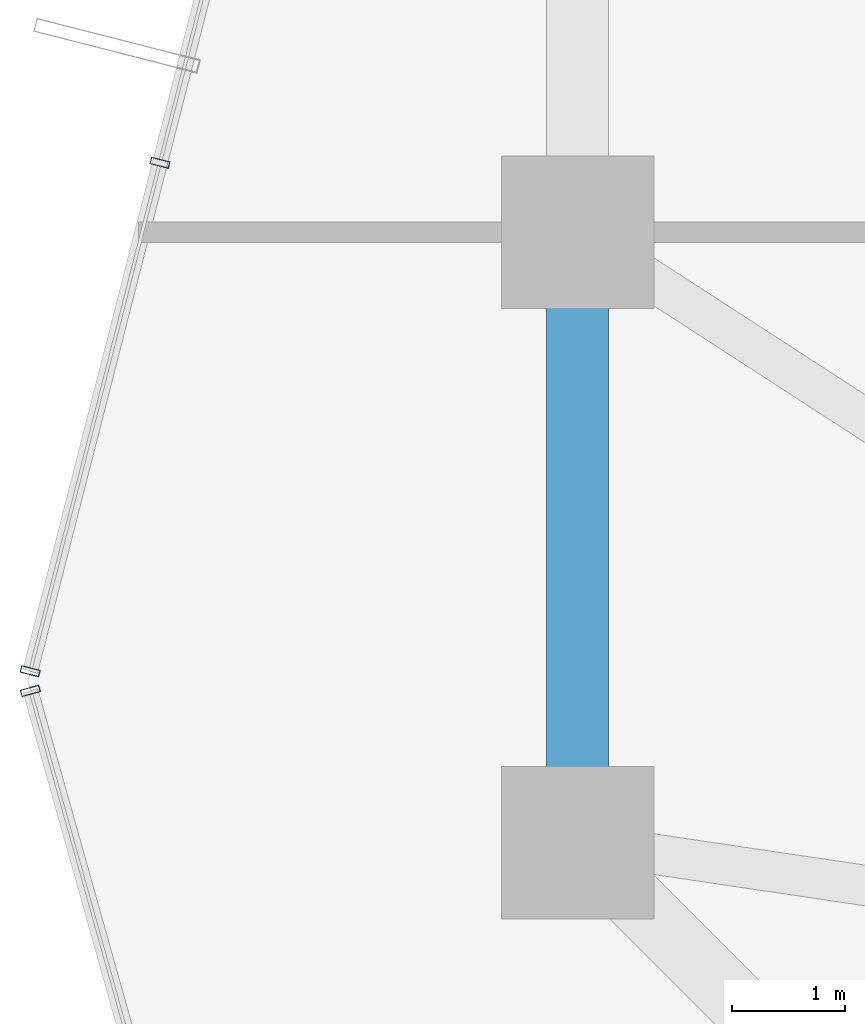
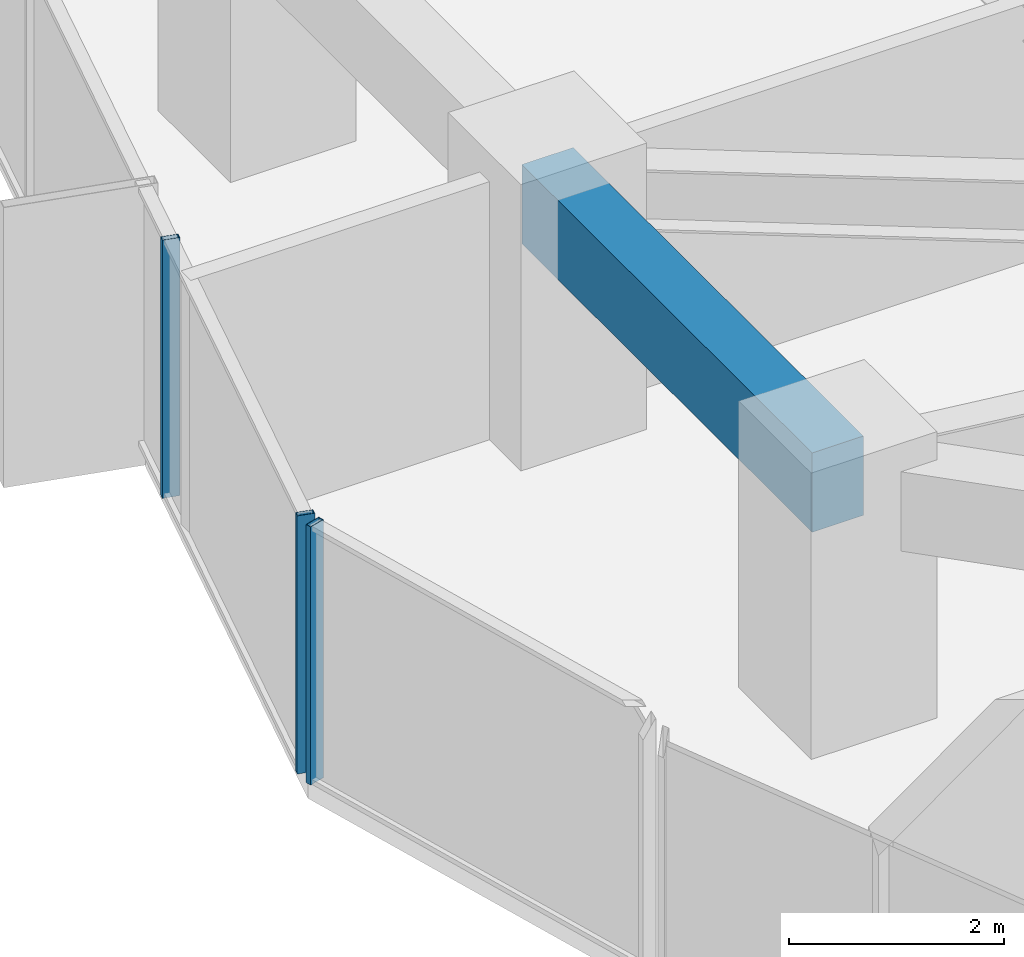
# One storey, part 9 of 39: 3 members, 1 beam, 2 elements without a shape of their own.
"""IFC4 building model written with IfcOpenShell, lengths in metres."""

from ifc_helpers import new_model, si_unit, direction, frame, origin, origin_2d, place, context, subcontext, project, spatial, rectangle, hollow_rectangle, extrude, source, transform, mapped, material, layer, layer_set, material_profile, profile_set, type_object, element, aggregate, save


model = new_model("IFC4")

# Units and contexts
model_context = context("Model", 3, precision=1e-05, world=origin(), true_north=direction((0.0, 1.0)))
body_context = subcontext(model_context, "Body", "Model", "MODEL_VIEW")
ifc_project = project(units=[si_unit("LENGTHUNIT", "METRE"), si_unit("AREAUNIT", "SQUARE_METRE"), si_unit("VOLUMEUNIT", "CUBIC_METRE"), si_unit("PLANEANGLEUNIT", "RADIAN"), si_unit("MASSUNIT", "GRAM", prefix="KILO")], contexts=[model_context])

# Site, building, storey
site_placement = place(None, origin())
site = spatial("IfcSite", under=ifc_project, at=site_placement, CompositionType="ELEMENT")
building_placement = place(site_placement, origin())
building = spatial("IfcBuilding", under=site, at=building_placement, Name="Veraguas Prism Commons", CompositionType="ELEMENT")
storey_placement = place(building_placement, frame((0.0, 0.0, 77.10009765625)))
storey = spatial("IfcBuildingStorey", under=building, at=storey_placement, Name="L21", CompositionType="ELEMENT", Elevation=77.10009765625)

# Beam
ifc_material_1 = material(Name="Concrete C50/60", Category="concrete")
ifc_material_profile_1 = material_profile(ifc_material_1, rectangle(XDim=0.550048828125, YDim=0.89990234375, at=origin_2d()), Name="RC550X900")
ifc_profile_set_1 = profile_set([ifc_material_profile_1], Name="Concrete C50/60")
beam_type = type_object("IfcBeamType", Name="Perimeter Spandrel Lower RC 550x900", PredefinedType="SPANDREL", material=ifc_profile_set_1)
beam_placement = place(storey_placement, frame((6.39990234375, 24.0, 2.47998046875), z_axis=(0.0, -1.0, 0.0), x_axis=(1.0, 0.0, 0.0)))
element("IfcBeam", 1, at=beam_placement, inside=storey, type_object=beam_type, Name="Perimeter Spandrel Beam L21-SP08", PredefinedType="SPANDREL", context=body_context, shape_type="SweptSolid", body=[
    extrude(rectangle(XDim=0.550048828125, YDim=0.89990234375, at=origin_2d()), origin(), (0.0, 0.0, 1.0), 5.39990234375),
])

# Curtain wall, members
ifc_material_2 = material(Name="Anodised aluminium EN AW-6063 T6", Category="aluminium")
ifc_layer = layer(ifc_material_2, 0.169921875, Name="Unitised Flush Curtain Wall Zone 1", Category="aluminium")
ifc_layer_set = layer_set([ifc_layer], Name="Anodised aluminium EN AW-6063 T6")
curtain_wall_type = type_object("IfcCurtainWallType", Name="Unitised Flush Curtain Wall Zone 1", PredefinedType="NOTDEFINED", material=ifc_layer_set)
curtain_wall_1_placement = place(storey_placement, origin())
curtain_wall_1 = element("IfcCurtainWall", 2, at=curtain_wall_1_placement, inside=storey, type_object=curtain_wall_type, Name="Tower Facade Curtain Wall L21-F3", PredefinedType="NOTDEFINED")
ifc_material_profile_2 = material_profile(ifc_material_2, hollow_rectangle(XDim=0.06005859375, YDim=0.169921875, WallThickness=0.00390625, at=origin_2d()), Name="AL60X170X4")
ifc_profile_set_2 = profile_set([ifc_material_profile_2], Name="Anodised aluminium EN AW-6063 T6")
member_type = type_object("IfcMemberType", Name="Curtain Wall Mullion Lower AL 60x170x4", PredefinedType="MULLION", material=ifc_profile_set_2)
shared_shape = source(origin(), body_context, "Body", "SweptSolid", [
    extrude(hollow_rectangle(XDim=0.06005859375, YDim=0.169921875, WallThickness=0.00390625, at=origin_2d()), origin(), (0.0, 0.0, 1.0), 2.929931640625),
])
member_1_placement = place(storey_placement, frame((2.705810546875, 24.614990234375, 0.0), z_axis=(0.0, 0.0, 1.0), x_axis=(-0.247340630168, -0.968928590077, 0.0)))
member_1 = element("IfcMember", 3, at=member_1_placement, type_object=member_type, Name="CW-Z1 Mullion 4", PredefinedType="MULLION", context=body_context, shape_type="MappedRepresentation", body=[
    mapped(shared_shape, transform((0.0, 0.0, 0.0), scale=1.0)),
])
member_2_placement = place(storey_placement, frame((1.557861328125, 20.1181640625, 0.0), z_axis=(0.0, 0.0, 1.0), x_axis=(-0.247340630168, -0.968928590077, 0.0)))
member_2 = element("IfcMember", 4, at=member_2_placement, type_object=member_type, Name="CW-Z1 Mullion 5", PredefinedType="MULLION", context=body_context, shape_type="MappedRepresentation", body=[
    mapped(shared_shape, transform((0.0, 0.0, 0.0), scale=1.0)),
])
aggregate(curtain_wall_1, [member_1, member_2])

# Curtain wall, member
curtain_wall_2_placement = place(storey_placement, origin())
curtain_wall_2 = element("IfcCurtainWall", 5, at=curtain_wall_2_placement, inside=storey, type_object=curtain_wall_type, Name="Chamfer Curtain Wall L21-C4", PredefinedType="NOTDEFINED")
member_3_placement = place(storey_placement, frame((1.56005859375, 19.9443359375, 0.0), z_axis=(0.0, 0.0, 1.0), x_axis=(0.27027951006, -0.962781899727, 0.0)))
member_3 = element("IfcMember", 6, at=member_3_placement, type_object=member_type, Name="CW-Z1 Mullion 1", PredefinedType="MULLION", context=body_context, shape_type="MappedRepresentation", body=[
    mapped(shared_shape, transform((0.0, 0.0, 0.0), scale=1.0)),
])
aggregate(curtain_wall_2, [member_3])

save(model, "model.ifc")
